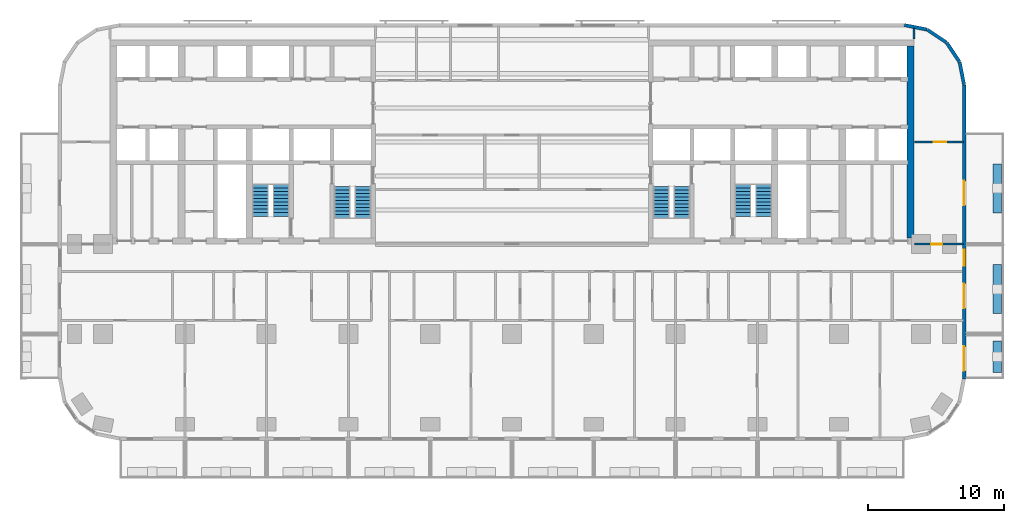
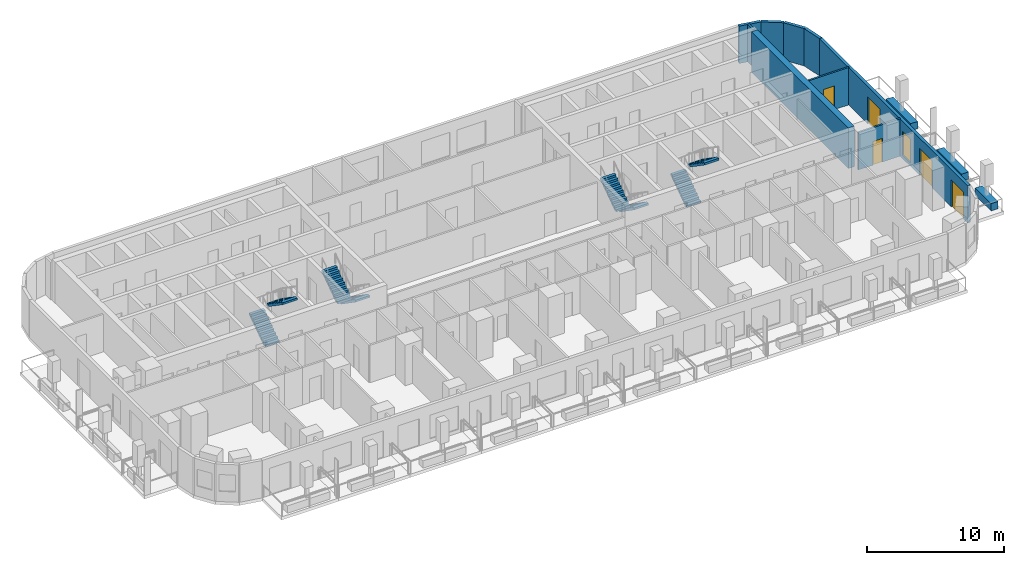
# One storey, part 10 of 15: 12 walls, 8 stair flights, 5 doors, 1 window, 6 openings, 4 elements without a shape of their own.
"""IFC4 building model written with IfcOpenShell, lengths in metres."""

from ifc_helpers import new_model, si_unit, direction, frame, frame_2d, origin, place, context, subcontext, project, spatial, polyline, rectangle, outline, extrude, material, layer, layer_set, type_object, element, fill, aggregate, save


model = new_model("IFC4")

# Units and contexts
model_context = context("Model", 3, precision=1e-05, world=origin(), true_north=direction((0.0, 1.0)))
body_context = subcontext(model_context, "Body", "Model", "MODEL_VIEW")
ifc_project = project(units=[si_unit("LENGTHUNIT", "METRE"), si_unit("AREAUNIT", "SQUARE_METRE"), si_unit("VOLUMEUNIT", "CUBIC_METRE"), si_unit("PLANEANGLEUNIT", "RADIAN"), si_unit("MASSUNIT", "GRAM", prefix="KILO")], contexts=[model_context])

# Site, building, storey
site_placement = place(None, origin())
site = spatial("IfcSite", under=ifc_project, at=site_placement, CompositionType="ELEMENT")
building_placement = place(site_placement, origin())
building = spatial("IfcBuilding", under=site, at=building_placement, Name="Torana Hotel and Residences", CompositionType="ELEMENT")
storey_placement = place(building_placement, frame((0.0, 0.0, 88.800048828125)))
storey = spatial("IfcBuildingStorey", under=building, at=storey_placement, Name="L22", CompositionType="ELEMENT", Elevation=88.800048828125)

# Walls
ifc_material_1 = material(Name="Concrete C80/95", Category="concrete")
ifc_layer_1 = layer(ifc_material_1, 0.5)
ifc_layer_set_1 = layer_set([ifc_layer_1], Name="CORE WALL 500 C80/95")
wall_type_1 = type_object("IfcWallType", Name="CORE WALL 500 C80/95", PredefinedType="SHEAR", material=ifc_layer_set_1)
wall_1_placement = place(storey_placement, frame((29.25, -14.550048828125, 0.0), z_axis=(0.0, 0.0, 1.0), x_axis=(0.0, 1.0, 0.0)))
element("IfcWall", 1, at=wall_1_placement, inside=storey, type_object=wall_type_1, Name="Core wall E outer", PredefinedType="SHEAR", context=body_context, shape_type="SweptSolid", body=[
    extrude(rectangle(XDim=14.10009765625, YDim=0.5, at=frame_2d((7.050048828125, 0.0))), origin(), (0.0, 0.0, 1.0), 3.599853515625),
])
ifc_material_2 = material(Name="Black aluminium composite panel", Category="aluminium")
ifc_layer_2 = layer(ifc_material_2, 0.00390625, Name="Cladding", Category="cladding")
ifc_material_3 = material(Name="Ventilated air cavity")
ifc_layer_3 = layer(ifc_material_3, 0.0400390625, Name="Ventilated cavity", Category="cavity")
ifc_material_4 = material(Name="Mineral wool insulation")
ifc_layer_4 = layer(ifc_material_4, 0.090087890625, Name="Insulation", Category="insulation")
ifc_material_5 = material(Name="Steel S280GD", Category="steel")
ifc_layer_5 = layer(ifc_material_5, 0.092041015625, Name="Steel stud frame", Category="structure")
ifc_material_6 = material(Name="Fire rated plasterboard")
ifc_layer_6 = layer(ifc_material_6, 0.011962890625, Name="Inner board", Category="finish")
ifc_layer_7 = layer(ifc_material_6, 0.011962890625, Name="Second board", Category="finish")
ifc_layer_set_2 = layer_set([ifc_layer_2, ifc_layer_3, ifc_layer_4, ifc_layer_5, ifc_layer_6, ifc_layer_7], Name="EW1 EXTERNAL WALL BLACK METAL CLAD 250")
wall_type_2 = type_object("IfcWallType", Name="EW1 EXTERNAL WALL BLACK METAL CLAD 250", PredefinedType="SOLIDWALL", material=ifc_layer_set_2)
wall_2_placement = place(storey_placement, frame((33.172607421875, -3.30029296875, 0.0), z_axis=(0.0, 0.0, 1.0), x_axis=(-0.19513878023, 0.980775640221, 0.0)))
element("IfcWall", 2, at=wall_2_placement, inside=storey, type_object=wall_type_2, Name="External wall L22 e0.0", PredefinedType="SOLIDWALL", context=body_context, shape_type="SweptSolid", body=[
    extrude(rectangle(XDim=1.681396484375, YDim=0.25, at=frame_2d((0.8408203125, 0.0))), origin(), (0.0, 0.0, 1.0), 3.320068359375),
])
for number, where, z_axis, x_axis, name in (
    (3, (32.825927734375, -1.60595703125, 0.0), (0.0, 0.0, 1.0), (-0.55555029066, 0.831482937015, 0.0), "External wall L22 e0.1"),
    (4, (31.87109375, -0.1943359375, 0.0), (0.0, 0.0, 1.0), (-0.831482937015, 0.55555029066, 0.0), "External wall L22 e0.2"),
):
    element("IfcWall", number, at=place(storey_placement, frame(where, z_axis=z_axis, x_axis=x_axis)), inside=storey, type_object=wall_type_2, Name=name, PredefinedType="SOLIDWALL", context=body_context, shape_type="SweptSolid", body=[
        extrude(rectangle(XDim=1.65625, YDim=0.25, at=frame_2d((0.828125, 0.0))), origin(), (0.0, 0.0, 1.0), 3.320068359375),
    ])
wall_3_placement = place(storey_placement, frame((30.448974609375, 0.74462890625, 0.0), z_axis=(0.0, 0.0, 1.0), x_axis=(-0.980803419081, 0.194999110559, 0.0)))
element("IfcWall", 5, at=wall_3_placement, inside=storey, type_object=wall_type_2, Name="External wall L22 e0.3", PredefinedType="SOLIDWALL", context=body_context, shape_type="SweptSolid", body=[
    extrude(rectangle(XDim=1.681396484375, YDim=0.25, at=frame_2d((0.8408203125, 0.0))), origin(), (0.0, 0.0, 1.0), 3.320068359375),
])

# Wall, openings, doors, window
wall_4_placement = place(storey_placement, frame((33.175048828125, -24.87548828125, 0.0), z_axis=(0.0, 0.0, 1.0), x_axis=(0.0, 1.0, 0.0)))
wall_4 = element("IfcWall", 6, at=wall_4_placement, inside=storey, type_object=wall_type_2, Name="External wall L22 e0.19", PredefinedType="SOLIDWALL", context=body_context, shape_type="SweptSolid", body=[
    extrude(rectangle(XDim=21.55078125, YDim=0.25, at=frame_2d((10.775390625, 0.0))), origin(), (0.0, 0.0, 1.0), 3.320068359375),
])
opening_1_placement = place(wall_4_placement, frame((0.575439453125, 0.0, 0.0)))
opening_1 = element("IfcOpeningElement", 7, at=opening_1_placement, cuts=wall_4, Name="Opening L22-E11", PredefinedType="OPENING", context=body_context, shape_type="SweptSolid", body=[
    extrude(rectangle(XDim=1.800048828125, YDim=2.39990234375, at=frame_2d((0.89990234375, 1.199951171875))), frame((0.0, 0.135009765625, 0.0), z_axis=(0.0, -1.0, 0.0), x_axis=(1.0, 0.0, 0.0)), (0.0, 0.0, 1.0), 0.27001953125),
])
opening_2_placement = place(wall_4_placement, frame((5.17529296875, 0.0, 0.0)))
opening_2 = element("IfcOpeningElement", 8, at=opening_2_placement, cuts=wall_4, Name="Opening L22-E12", PredefinedType="OPENING", context=body_context, shape_type="SweptSolid", body=[
    extrude(rectangle(XDim=1.800048828125, YDim=2.39990234375, at=frame_2d((0.89990234375, 1.199951171875))), frame((0.0, 0.135009765625, 0.0), z_axis=(0.0, -1.0, 0.0), x_axis=(1.0, 0.0, 0.0)), (0.0, 0.0, 1.0), 0.27001953125),
])
opening_3_placement = place(wall_4_placement, frame((8.275390625, 0.0, 0.300048828125)))
opening_3 = element("IfcOpeningElement", 9, at=opening_3_placement, cuts=wall_4, Name="Opening W7", PredefinedType="OPENING", context=body_context, shape_type="SweptSolid", body=[
    extrude(rectangle(XDim=1.199951171875, YDim=2.10009765625, at=frame_2d((0.60009765625, 1.050048828125))), frame((0.0, 0.135009765625, 0.0), z_axis=(0.0, -1.0, 0.0), x_axis=(1.0, 0.0, 0.0)), (0.0, 0.0, 1.0), 0.27001953125),
])
opening_4_placement = place(wall_4_placement, frame((12.725341796875, 0.0, 0.0)))
opening_4 = element("IfcOpeningElement", 10, at=opening_4_placement, cuts=wall_4, Name="Opening L22-E13", PredefinedType="OPENING", context=body_context, shape_type="SweptSolid", body=[
    extrude(rectangle(XDim=1.800048828125, YDim=2.39990234375, at=frame_2d((0.89990234375, 1.199951171875))), frame((0.0, 0.135009765625, 0.0), z_axis=(0.0, -1.0, 0.0), x_axis=(1.0, 0.0, 0.0)), (0.0, 0.0, 1.0), 0.27001953125),
])
ifc_material_7 = material(Name="Dark glass in black aluminium frame", Category="aluminium")
door_type_1 = type_object("IfcDoorType", Name="DB1 BALCONY DOOR 1800x2400", OperationType="DOUBLE_DOOR_SINGLE_SWING", PredefinedType="DOOR", material=ifc_material_7)
door_1_placement = place(opening_1_placement, origin())
door_1 = element("IfcDoor", 11, at=door_1_placement, inside=storey, type_object=door_type_1, Name="Balcony door L22", OperationType="DOUBLE_DOOR_SINGLE_SWING", OverallHeight=2.39990234375, OverallWidth=1.800048828125, PredefinedType="DOOR", context=body_context, shape_type="SweptSolid", body=[
    extrude(rectangle(XDim=1.800048828125, YDim=2.39990234375, at=frame_2d((0.89990234375, 1.199951171875))), frame((0.0, 0.02490234375, 0.0), z_axis=(0.0, -1.0, 0.0), x_axis=(1.0, 0.0, 0.0)), (0.0, 0.0, 1.0), 0.050048828125),
])
fill(opening_1, door_1)
door_2_placement = place(opening_2_placement, origin())
door_2 = element("IfcDoor", 12, at=door_2_placement, inside=storey, type_object=door_type_1, Name="Balcony door L22", OperationType="DOUBLE_DOOR_SINGLE_SWING", OverallHeight=2.39990234375, OverallWidth=1.800048828125, PredefinedType="DOOR", context=body_context, shape_type="SweptSolid", body=[
    extrude(rectangle(XDim=1.800048828125, YDim=2.39990234375, at=frame_2d((0.89990234375, 1.199951171875))), frame((0.0, 0.02490234375, 0.0), z_axis=(0.0, -1.0, 0.0), x_axis=(1.0, 0.0, 0.0)), (0.0, 0.0, 1.0), 0.050048828125),
])
fill(opening_2, door_2)
door_3_placement = place(opening_4_placement, origin())
door_3 = element("IfcDoor", 13, at=door_3_placement, inside=storey, type_object=door_type_1, Name="Balcony door L22", OperationType="DOUBLE_DOOR_SINGLE_SWING", OverallHeight=2.39990234375, OverallWidth=1.800048828125, PredefinedType="DOOR", context=body_context, shape_type="SweptSolid", body=[
    extrude(rectangle(XDim=1.800048828125, YDim=2.39990234375, at=frame_2d((0.89990234375, 1.199951171875))), frame((0.0, 0.02490234375, 0.0), z_axis=(0.0, -1.0, 0.0), x_axis=(1.0, 0.0, 0.0)), (0.0, 0.0, 1.0), 0.050048828125),
])
fill(opening_4, door_3)
ifc_material_8 = material(Name="Dark glass in black aluminium frame", Category="aluminium")
window_type = type_object("IfcWindowType", Name="W7 HOTEL CORRIDOR WINDOW 1200x2100", PartitioningType="SINGLE_PANEL", PredefinedType="WINDOW", material=ifc_material_8)
window_placement = place(opening_3_placement, origin())
window = element("IfcWindow", 14, at=window_placement, inside=storey, type_object=window_type, Name="Window L22", OverallHeight=2.10009765625, OverallWidth=1.199951171875, PartitioningType="SINGLE_PANEL", PredefinedType="WINDOW", context=body_context, shape_type="SweptSolid", body=[
    extrude(rectangle(XDim=1.199951171875, YDim=2.10009765625, at=frame_2d((0.60009765625, 1.050048828125))), frame((0.0, 0.030029296875, 0.0), z_axis=(0.0, -1.0, 0.0), x_axis=(1.0, 0.0, 0.0)), (0.0, 0.0, 1.0), 0.06005859375),
])
fill(opening_3, window)

# Wall, opening, door
ifc_material_9 = material(Name="Gypsum plaster")
ifc_layer_8 = layer(ifc_material_9, 0.014892578125, Name="Plaster", Category="finish")
ifc_material_10 = material(Name="Concrete blockwork", Category="masonry")
ifc_layer_9 = layer(ifc_material_10, 0.1201171875, Name="Blockwork", Category="structure")
ifc_layer_10 = layer(ifc_material_9, 0.014892578125, Name="Plaster", Category="finish")
ifc_layer_set_3 = layer_set([ifc_layer_8, ifc_layer_9, ifc_layer_10], Name="FIRE PARTITION 150 BLOCKWORK")
wall_type_3 = type_object("IfcWallType", Name="FIRE PARTITION 150 BLOCKWORK", PredefinedType="PARTITIONING", material=ifc_layer_set_3)
wall_5_placement = place(storey_placement, frame((29.550048828125, -15.0, 0.0), z_axis=(0.0, 0.0, 1.0), x_axis=(1.0, 0.0, 0.0)))
wall_5 = element("IfcWall", 15, at=wall_5_placement, inside=storey, type_object=wall_type_3, Name="Partition L22", PredefinedType="PARTITIONING", context=body_context, shape_type="SweptSolid", body=[
    extrude(rectangle(XDim=3.570068359375, YDim=0.14990234375, at=frame_2d((1.78515625, 0.0))), origin(), (0.0, 0.0, 1.0), 3.320068359375),
])
opening_5_placement = place(wall_5_placement, frame((1.205078125, 0.0, 0.0)))
opening_5 = element("IfcOpeningElement", 16, at=opening_5_placement, cuts=wall_5, Name="Opening L22-49", PredefinedType="OPENING", context=body_context, shape_type="SweptSolid", body=[
    extrude(rectangle(XDim=0.800048828125, YDim=2.10009765625, at=frame_2d((0.39990234375, 1.050048828125))), frame((0.0, 0.0849609375, 0.0), z_axis=(0.0, -1.0, 0.0), x_axis=(1.0, 0.0, 0.0)), (0.0, 0.0, 1.0), 0.169921875),
])
ifc_material_11 = material(Name="Steel S235", Category="steel")
door_type_2 = type_object("IfcDoorType", Name="STORE FIRE DOOR D16 800x2100", OperationType="SINGLE_SWING_LEFT", PredefinedType="DOOR", material=ifc_material_11)
door_4_placement = place(opening_5_placement, origin())
door_4 = element("IfcDoor", 17, at=door_4_placement, inside=storey, type_object=door_type_2, Name="Door L22", OperationType="SINGLE_SWING_RIGHT", OverallHeight=2.10009765625, OverallWidth=0.800048828125, PredefinedType="DOOR", context=body_context, shape_type="SweptSolid", body=[
    extrude(rectangle(XDim=0.800048828125, YDim=2.10009765625, at=frame_2d((0.39990234375, 1.050048828125))), frame((0.0, 0.02490234375, 0.0), z_axis=(0.0, -1.0, 0.0), x_axis=(1.0, 0.0, 0.0)), (0.0, 0.0, 1.0), 0.050048828125),
])
fill(opening_5, door_4)

# Wall
ifc_material_12 = material(Name="Gypsum plasterboard")
ifc_layer_11 = layer(ifc_material_12, 0.012451171875, Name="Plasterboard", Category="finish")
ifc_layer_12 = layer(ifc_material_12, 0.012451171875, Name="Plasterboard", Category="finish")
ifc_layer_13 = layer(ifc_material_5, 0.10009765625, Name="Steel studs with mineral wool", Category="insulation")
ifc_layer_14 = layer(ifc_material_12, 0.012451171875, Name="Plasterboard", Category="finish")
ifc_layer_15 = layer(ifc_material_12, 0.012451171875, Name="Plasterboard", Category="finish")
ifc_layer_set_4 = layer_set([ifc_layer_11, ifc_layer_12, ifc_layer_13, ifc_layer_14, ifc_layer_15], Name="PARTITION 150 PLASTERBOARD")
wall_type_4 = type_object("IfcWallType", Name="PARTITION 150 PLASTERBOARD", PredefinedType="PARTITIONING", material=ifc_layer_set_4)
wall_6_placement = place(storey_placement, frame((29.5, 0.050048828125, 0.0), z_axis=(0.0, 0.0, 1.0), x_axis=(0.0, 1.0, 0.0)))
element("IfcWall", 18, at=wall_6_placement, inside=storey, type_object=wall_type_4, Name="Partition L22", PredefinedType="PARTITIONING", context=body_context, shape_type="SweptSolid", body=[
    extrude(rectangle(XDim=0.8271484375, YDim=0.14990234375, at=frame_2d((0.41357421875, 0.0))), origin(), (0.0, 0.0, 1.0), 3.320068359375),
])

# Wall, opening, door
wall_7_placement = place(storey_placement, frame((29.550048828125, -7.5, 0.0), z_axis=(0.0, 0.0, 1.0), x_axis=(1.0, 0.0, 0.0)))
wall_7 = element("IfcWall", 19, at=wall_7_placement, inside=storey, type_object=wall_type_4, Name="Partition L22", PredefinedType="PARTITIONING", context=body_context, shape_type="SweptSolid", body=[
    extrude(rectangle(XDim=3.570068359375, YDim=0.14990234375, at=frame_2d((1.78515625, 0.0))), origin(), (0.0, 0.0, 1.0), 3.320068359375),
])
opening_6_placement = place(wall_7_placement, frame((1.39990234375, 0.0, 0.0)))
opening_6 = element("IfcOpeningElement", 20, at=opening_6_placement, cuts=wall_7, Name="Opening L22-85", PredefinedType="OPENING", context=body_context, shape_type="SweptSolid", body=[
    extrude(rectangle(XDim=0.89990234375, YDim=2.10009765625, at=frame_2d((0.449951171875, 1.050048828125))), frame((0.0, 0.0849609375, 0.0), z_axis=(0.0, -1.0, 0.0), x_axis=(1.0, 0.0, 0.0)), (0.0, 0.0, 1.0), 0.169921875),
])
ifc_material_13 = material(Name="Timber door, oiled ash", Category="wood")
door_type_3 = type_object("IfcDoorType", Name="ROOM DOOR D7 900x2100", OperationType="SINGLE_SWING_LEFT", PredefinedType="DOOR", material=ifc_material_13)
door_5_placement = place(opening_6_placement, origin())
door_5 = element("IfcDoor", 21, at=door_5_placement, inside=storey, type_object=door_type_3, Name="Door L22", OperationType="SINGLE_SWING_LEFT", OverallHeight=2.10009765625, OverallWidth=0.89990234375, PredefinedType="DOOR", context=body_context, shape_type="SweptSolid", body=[
    extrude(rectangle(XDim=0.89990234375, YDim=2.10009765625, at=frame_2d((0.449951171875, 1.050048828125))), frame((0.0, 0.02490234375, 0.0), z_axis=(0.0, -1.0, 0.0), x_axis=(1.0, 0.0, 0.0)), (0.0, 0.0, 1.0), 0.050048828125),
])
fill(opening_6, door_5)

# Walls
ifc_material_14 = material(Name="Concrete C40/50 precast", Category="concrete")
ifc_layer_16 = layer(ifc_material_14, 0.10009765625, Name="Planter shell", Category="structure")
ifc_material_15 = material(Name="Root resistant membrane")
ifc_layer_17 = layer(ifc_material_15, 0.00390625, Name="Waterproofing membrane", Category="membrane")
ifc_material_16 = material(Name="Drainage board with filter fleece")
ifc_layer_18 = layer(ifc_material_16, 0.02001953125, Name="Drainage board", Category="drainage")
ifc_material_17 = material(Name="Growing medium")
ifc_layer_19 = layer(ifc_material_17, 0.47607421875, Name="Planting substrate", Category="soil")
ifc_layer_set_5 = layer_set([ifc_layer_16, ifc_layer_17, ifc_layer_18, ifc_layer_19], Name="PL1 BALCONY PLANTER 600")
wall_type_5 = type_object("IfcWallType", Name="PL1 BALCONY PLANTER 600", PredefinedType="USERDEFINED", material=ifc_layer_set_5)
wall_8_placement = place(storey_placement, frame((35.60009765625, -22.10009765625, 0.0), z_axis=(0.0, 0.0, 1.0), x_axis=(0.0, -1.0, 0.0)))
element("IfcWall", 22, at=wall_8_placement, inside=storey, type_object=wall_type_5, Name="Planter 14", ObjectType="PLANTER", PredefinedType="USERDEFINED", context=body_context, shape_type="SweptSolid", body=[
    extrude(rectangle(XDim=2.2998046875, YDim=0.60009765625, at=frame_2d((1.14990234375, 0.0))), origin(), (0.0, 0.0, 1.0), 0.64990234375),
])
wall_9_placement = place(storey_placement, frame((35.60009765625, -16.5, 0.0), z_axis=(0.0, 0.0, 1.0), x_axis=(0.0, -1.0, 0.0)))
element("IfcWall", 23, at=wall_9_placement, inside=storey, type_object=wall_type_5, Name="Planter 15", ObjectType="PLANTER", PredefinedType="USERDEFINED", context=body_context, shape_type="SweptSolid", body=[
    extrude(rectangle(XDim=3.60009765625, YDim=0.60009765625, at=frame_2d((1.800048828125, 0.0))), origin(), (0.0, 0.0, 1.0), 0.64990234375),
])
wall_10_placement = place(storey_placement, frame((35.60009765625, -9.10009765625, 0.0), z_axis=(0.0, 0.0, 1.0), x_axis=(0.0, -1.0, 0.0)))
element("IfcWall", 24, at=wall_10_placement, inside=storey, type_object=wall_type_5, Name="Planter 16", ObjectType="PLANTER", PredefinedType="USERDEFINED", context=body_context, shape_type="SweptSolid", body=[
    extrude(rectangle(XDim=3.599853515625, YDim=0.60009765625, at=frame_2d((1.7998046875, 0.0))), origin(), (0.0, 0.0, 1.0), 0.64990234375),
])

# Stair, stair flights
ifc_material_18 = material(Name="Concrete C40/50 precast", Category="concrete")
stair_type_1 = type_object("IfcStairType", Name="STAIR ST1 HALF TURN 1200", PredefinedType="HALF_TURN_STAIR", material=ifc_material_18)
stair_1_placement = place(storey_placement, origin())
stair_1 = element("IfcStair", 25, at=stair_1_placement, inside=storey, type_object=stair_type_1, Name="Stair ST1 L22", PredefinedType="HALF_TURN_STAIR")
ifc_material_19 = material(Name="Concrete C40/50 precast", Category="concrete")
stair_flight_type = type_object("IfcStairFlightType", Name="STAIR FLIGHT 1200 PRECAST", PredefinedType="STRAIGHT", material=ifc_material_19)
stair_flight_1_placement = place(storey_placement, frame((-10.949951171875, -10.75, 0.0), z_axis=(0.0, 0.0, 1.0), x_axis=(0.0, -1.0, 0.0)))
stair_flight_1 = element("IfcStairFlight", 26, at=stair_flight_1_placement, type_object=stair_flight_type, Name="ST1 flight 1", NumberOfRisers=10, NumberOfTreads=9, PredefinedType="STRAIGHT", RiserHeight=0.18, TreadLength=0.26, context=body_context, shape_type="SweptSolid", body=[
    extrude(outline(polyline([(0.0, 0.0), (0.0, 0.179931640625), (0.260009765625, 0.179931640625), (0.260009765625, 0.360107421875), (0.52001953125, 0.360107421875), (0.52001953125, 0.5400390625), (0.780029296875, 0.5400390625), (0.780029296875, 0.719970703125), (1.0400390625, 0.719970703125), (1.0400390625, 0.89990234375), (1.300048828125, 0.89990234375), (1.300048828125, 1.080078125), (1.56005859375, 1.080078125), (1.56005859375, 1.260009765625), (1.820068359375, 1.260009765625), (1.820068359375, 1.43994140625), (2.080078125, 1.43994140625), (2.080078125, 1.6201171875), (2.340087890625, 1.6201171875), (2.340087890625, 1.800048828125), (2.340087890625, 1.437744140625), (0.263427734375, 0.0), (0.0, 0.0)])), frame((0.0, 0.60009765625, 0.0), z_axis=(0.0, -1.0, 0.0), x_axis=(1.0, 0.0, 0.0)), (0.0, 0.0, 1.0), 1.199951171875),
])
stair_flight_2_placement = place(storey_placement, frame((-12.449951171875, -13.090087890625, 1.800048828125), z_axis=(0.0, 0.0, 1.0), x_axis=(0.0, 1.0, 0.0)))
stair_flight_2 = element("IfcStairFlight", 27, at=stair_flight_2_placement, type_object=stair_flight_type, Name="ST1 flight 2", NumberOfRisers=10, NumberOfTreads=9, PredefinedType="STRAIGHT", RiserHeight=0.18, TreadLength=0.26, context=body_context, shape_type="SweptSolid", body=[
    extrude(outline(polyline([(0.0, 0.0), (0.0, 0.179931640625), (0.260009765625, 0.179931640625), (0.260009765625, 0.360107421875), (0.52001953125, 0.360107421875), (0.52001953125, 0.5400390625), (0.780029296875, 0.5400390625), (0.780029296875, 0.719970703125), (1.0400390625, 0.719970703125), (1.0400390625, 0.89990234375), (1.300048828125, 0.89990234375), (1.300048828125, 1.080078125), (1.56005859375, 1.080078125), (1.56005859375, 1.260009765625), (1.820068359375, 1.260009765625), (1.820068359375, 1.43994140625), (2.080078125, 1.43994140625), (2.080078125, 1.6201171875), (2.340087890625, 1.6201171875), (2.340087890625, 1.800048828125), (2.340087890625, 1.437744140625), (0.263427734375, 0.0), (0.0, 0.0)])), frame((0.0, 0.60009765625, 0.0), z_axis=(0.0, -1.0, 0.0), x_axis=(1.0, 0.0, 0.0)), (0.0, 0.0, 1.0), 1.199951171875),
])
aggregate(stair_1, [stair_flight_1, stair_flight_2])

ifc_material_20 = material(Name="Concrete C40/50 precast", Category="concrete")
stair_type_2 = type_object("IfcStairType", Name="STAIR ST2 HALF TURN 1200", PredefinedType="HALF_TURN_STAIR", material=ifc_material_20)
stair_2_placement = place(storey_placement, origin())
stair_2 = element("IfcStair", 28, at=stair_2_placement, inside=storey, type_object=stair_type_2, Name="Stair ST2 L22", PredefinedType="HALF_TURN_STAIR")
stair_flight_3_placement = place(storey_placement, frame((-18.449951171875, -12.949951171875, 0.0), z_axis=(0.0, 0.0, 1.0), x_axis=(0.0, 1.0, 0.0)))
stair_flight_3 = element("IfcStairFlight", 29, at=stair_flight_3_placement, type_object=stair_flight_type, Name="ST2 flight 1", NumberOfRisers=10, NumberOfTreads=9, PredefinedType="STRAIGHT", RiserHeight=0.18, TreadLength=0.26, context=body_context, shape_type="SweptSolid", body=[
    extrude(outline(polyline([(0.0, 0.0), (0.0, 0.179931640625), (0.260009765625, 0.179931640625), (0.260009765625, 0.360107421875), (0.52001953125, 0.360107421875), (0.52001953125, 0.5400390625), (0.780029296875, 0.5400390625), (0.780029296875, 0.719970703125), (1.0400390625, 0.719970703125), (1.0400390625, 0.89990234375), (1.300048828125, 0.89990234375), (1.300048828125, 1.080078125), (1.56005859375, 1.080078125), (1.56005859375, 1.260009765625), (1.820068359375, 1.260009765625), (1.820068359375, 1.43994140625), (2.080078125, 1.43994140625), (2.080078125, 1.6201171875), (2.340087890625, 1.6201171875), (2.340087890625, 1.800048828125), (2.340087890625, 1.437744140625), (0.263427734375, 0.0), (0.0, 0.0)])), frame((0.0, 0.60009765625, 0.0), z_axis=(0.0, -1.0, 0.0), x_axis=(1.0, 0.0, 0.0)), (0.0, 0.0, 1.0), 1.199951171875),
])
stair_flight_4_placement = place(storey_placement, frame((-16.949951171875, -10.610107421875, 1.800048828125), z_axis=(0.0, 0.0, 1.0), x_axis=(0.0, -1.0, 0.0)))
stair_flight_4 = element("IfcStairFlight", 30, at=stair_flight_4_placement, type_object=stair_flight_type, Name="ST2 flight 2", NumberOfRisers=10, NumberOfTreads=9, PredefinedType="STRAIGHT", RiserHeight=0.18, TreadLength=0.26, context=body_context, shape_type="SweptSolid", body=[
    extrude(outline(polyline([(0.0, 0.0), (0.0, 0.179931640625), (0.260009765625, 0.179931640625), (0.260009765625, 0.360107421875), (0.52001953125, 0.360107421875), (0.52001953125, 0.5400390625), (0.780029296875, 0.5400390625), (0.780029296875, 0.719970703125), (1.0400390625, 0.719970703125), (1.0400390625, 0.89990234375), (1.300048828125, 0.89990234375), (1.300048828125, 1.080078125), (1.56005859375, 1.080078125), (1.56005859375, 1.260009765625), (1.820068359375, 1.260009765625), (1.820068359375, 1.43994140625), (2.080078125, 1.43994140625), (2.080078125, 1.6201171875), (2.340087890625, 1.6201171875), (2.340087890625, 1.800048828125), (2.340087890625, 1.437744140625), (0.263427734375, 0.0), (0.0, 0.0)])), frame((0.0, 0.60009765625, 0.0), z_axis=(0.0, -1.0, 0.0), x_axis=(1.0, 0.0, 0.0)), (0.0, 0.0, 1.0), 1.199951171875),
])
aggregate(stair_2, [stair_flight_3, stair_flight_4])

ifc_material_21 = material(Name="Concrete C40/50 precast", Category="concrete")
stair_type_3 = type_object("IfcStairType", Name="STAIR ST3 HALF TURN 1200", PredefinedType="HALF_TURN_STAIR", material=ifc_material_21)
stair_3_placement = place(storey_placement, origin())
stair_3 = element("IfcStair", 31, at=stair_3_placement, inside=storey, type_object=stair_type_3, Name="Stair ST3 L22", PredefinedType="HALF_TURN_STAIR")
stair_flight_5_placement = place(storey_placement, frame((12.449951171875, -10.75, 0.0), z_axis=(0.0, 0.0, 1.0), x_axis=(0.0, -1.0, 0.0)))
stair_flight_5 = element("IfcStairFlight", 32, at=stair_flight_5_placement, type_object=stair_flight_type, Name="ST3 flight 1", NumberOfRisers=10, NumberOfTreads=9, PredefinedType="STRAIGHT", RiserHeight=0.18, TreadLength=0.26, context=body_context, shape_type="SweptSolid", body=[
    extrude(outline(polyline([(0.0, 0.0), (0.0, 0.179931640625), (0.260009765625, 0.179931640625), (0.260009765625, 0.360107421875), (0.52001953125, 0.360107421875), (0.52001953125, 0.5400390625), (0.780029296875, 0.5400390625), (0.780029296875, 0.719970703125), (1.0400390625, 0.719970703125), (1.0400390625, 0.89990234375), (1.300048828125, 0.89990234375), (1.300048828125, 1.080078125), (1.56005859375, 1.080078125), (1.56005859375, 1.260009765625), (1.820068359375, 1.260009765625), (1.820068359375, 1.43994140625), (2.080078125, 1.43994140625), (2.080078125, 1.6201171875), (2.340087890625, 1.6201171875), (2.340087890625, 1.800048828125), (2.340087890625, 1.437744140625), (0.263427734375, 0.0), (0.0, 0.0)])), frame((0.0, 0.60009765625, 0.0), z_axis=(0.0, -1.0, 0.0), x_axis=(1.0, 0.0, 0.0)), (0.0, 0.0, 1.0), 1.199951171875),
])
stair_flight_6_placement = place(storey_placement, frame((10.949951171875, -13.090087890625, 1.800048828125), z_axis=(0.0, 0.0, 1.0), x_axis=(0.0, 1.0, 0.0)))
stair_flight_6 = element("IfcStairFlight", 33, at=stair_flight_6_placement, type_object=stair_flight_type, Name="ST3 flight 2", NumberOfRisers=10, NumberOfTreads=9, PredefinedType="STRAIGHT", RiserHeight=0.18, TreadLength=0.26, context=body_context, shape_type="SweptSolid", body=[
    extrude(outline(polyline([(0.0, 0.0), (0.0, 0.179931640625), (0.260009765625, 0.179931640625), (0.260009765625, 0.360107421875), (0.52001953125, 0.360107421875), (0.52001953125, 0.5400390625), (0.780029296875, 0.5400390625), (0.780029296875, 0.719970703125), (1.0400390625, 0.719970703125), (1.0400390625, 0.89990234375), (1.300048828125, 0.89990234375), (1.300048828125, 1.080078125), (1.56005859375, 1.080078125), (1.56005859375, 1.260009765625), (1.820068359375, 1.260009765625), (1.820068359375, 1.43994140625), (2.080078125, 1.43994140625), (2.080078125, 1.6201171875), (2.340087890625, 1.6201171875), (2.340087890625, 1.800048828125), (2.340087890625, 1.437744140625), (0.263427734375, 0.0), (0.0, 0.0)])), frame((0.0, 0.60009765625, 0.0), z_axis=(0.0, -1.0, 0.0), x_axis=(1.0, 0.0, 0.0)), (0.0, 0.0, 1.0), 1.199951171875),
])
aggregate(stair_3, [stair_flight_5, stair_flight_6])

ifc_material_22 = material(Name="Concrete C40/50 precast", Category="concrete")
stair_type_4 = type_object("IfcStairType", Name="STAIR ST4 HALF TURN 1200", PredefinedType="HALF_TURN_STAIR", material=ifc_material_22)
stair_4_placement = place(storey_placement, origin())
stair_4 = element("IfcStair", 34, at=stair_4_placement, inside=storey, type_object=stair_type_4, Name="Stair ST4 L22", PredefinedType="HALF_TURN_STAIR")
stair_flight_7_placement = place(storey_placement, frame((16.949951171875, -12.949951171875, 0.0), z_axis=(0.0, 0.0, 1.0), x_axis=(0.0, 1.0, 0.0)))
stair_flight_7 = element("IfcStairFlight", 35, at=stair_flight_7_placement, type_object=stair_flight_type, Name="ST4 flight 1", NumberOfRisers=10, NumberOfTreads=9, PredefinedType="STRAIGHT", RiserHeight=0.18, TreadLength=0.26, context=body_context, shape_type="SweptSolid", body=[
    extrude(outline(polyline([(0.0, 0.0), (0.0, 0.179931640625), (0.260009765625, 0.179931640625), (0.260009765625, 0.360107421875), (0.52001953125, 0.360107421875), (0.52001953125, 0.5400390625), (0.780029296875, 0.5400390625), (0.780029296875, 0.719970703125), (1.0400390625, 0.719970703125), (1.0400390625, 0.89990234375), (1.300048828125, 0.89990234375), (1.300048828125, 1.080078125), (1.56005859375, 1.080078125), (1.56005859375, 1.260009765625), (1.820068359375, 1.260009765625), (1.820068359375, 1.43994140625), (2.080078125, 1.43994140625), (2.080078125, 1.6201171875), (2.340087890625, 1.6201171875), (2.340087890625, 1.800048828125), (2.340087890625, 1.437744140625), (0.263427734375, 0.0), (0.0, 0.0)])), frame((0.0, 0.60009765625, 0.0), z_axis=(0.0, -1.0, 0.0), x_axis=(1.0, 0.0, 0.0)), (0.0, 0.0, 1.0), 1.199951171875),
])
stair_flight_8_placement = place(storey_placement, frame((18.449951171875, -10.610107421875, 1.800048828125), z_axis=(0.0, 0.0, 1.0), x_axis=(0.0, -1.0, 0.0)))
stair_flight_8 = element("IfcStairFlight", 36, at=stair_flight_8_placement, type_object=stair_flight_type, Name="ST4 flight 2", NumberOfRisers=10, NumberOfTreads=9, PredefinedType="STRAIGHT", RiserHeight=0.18, TreadLength=0.26, context=body_context, shape_type="SweptSolid", body=[
    extrude(outline(polyline([(0.0, 0.0), (0.0, 0.179931640625), (0.260009765625, 0.179931640625), (0.260009765625, 0.360107421875), (0.52001953125, 0.360107421875), (0.52001953125, 0.5400390625), (0.780029296875, 0.5400390625), (0.780029296875, 0.719970703125), (1.0400390625, 0.719970703125), (1.0400390625, 0.89990234375), (1.300048828125, 0.89990234375), (1.300048828125, 1.080078125), (1.56005859375, 1.080078125), (1.56005859375, 1.260009765625), (1.820068359375, 1.260009765625), (1.820068359375, 1.43994140625), (2.080078125, 1.43994140625), (2.080078125, 1.6201171875), (2.340087890625, 1.6201171875), (2.340087890625, 1.800048828125), (2.340087890625, 1.437744140625), (0.263427734375, 0.0), (0.0, 0.0)])), frame((0.0, 0.60009765625, 0.0), z_axis=(0.0, -1.0, 0.0), x_axis=(1.0, 0.0, 0.0)), (0.0, 0.0, 1.0), 1.199951171875),
])
aggregate(stair_4, [stair_flight_7, stair_flight_8])

save(model, "model.ifc")
